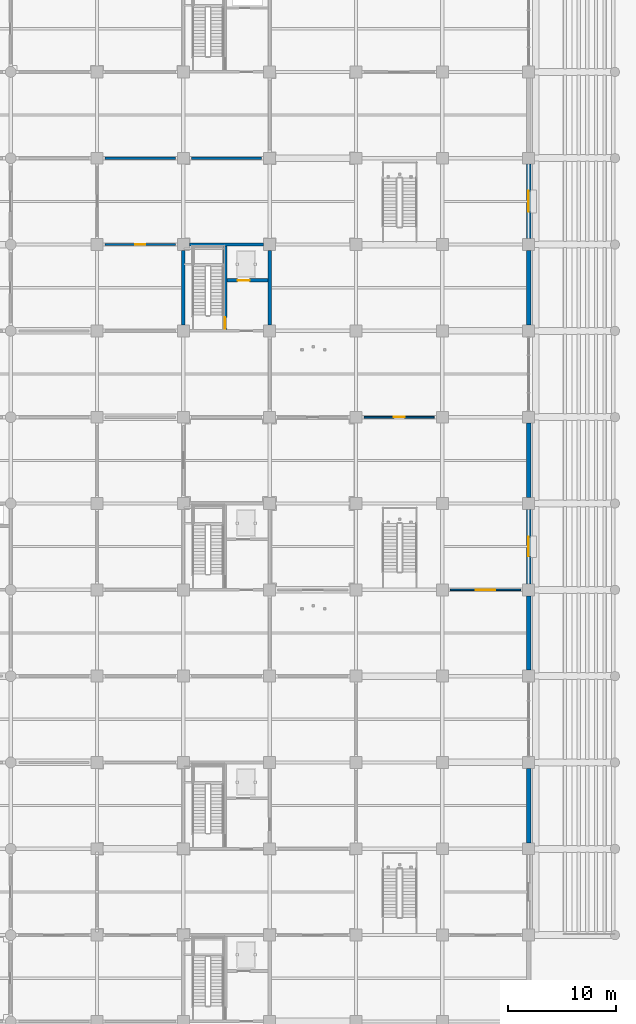
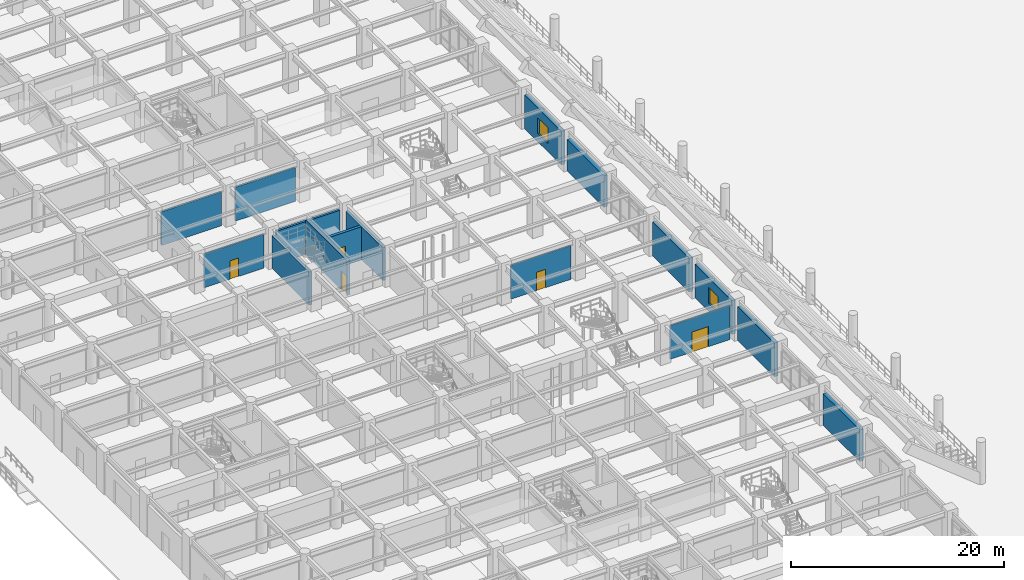
# One storey, part 80 of 125: 16 walls, 5 doors, 2 windows, 7 openings.
"""IFC4 building model written with IfcOpenShell, lengths in metres."""

from ifc_helpers import new_model, si_unit, direction, frame, frame_2d, origin, place, context, subcontext, project, spatial, rectangle, extrude, material, layer, layer_set, type_object, element, fill, save


model = new_model("IFC4")

# Units and contexts
model_context = context("Model", 3, precision=1e-05, world=origin(), true_north=direction((0.0, 1.0)))
body_context = subcontext(model_context, "Body", "Model", "MODEL_VIEW")
ifc_project = project(units=[si_unit("LENGTHUNIT", "METRE"), si_unit("AREAUNIT", "SQUARE_METRE"), si_unit("VOLUMEUNIT", "CUBIC_METRE"), si_unit("PLANEANGLEUNIT", "RADIAN"), si_unit("MASSUNIT", "GRAM", prefix="KILO")], contexts=[model_context])

# Site, building, storey
site_placement = place(None, origin())
site = spatial("IfcSite", under=ifc_project, at=site_placement, CompositionType="ELEMENT")
building_placement = place(site_placement, origin())
building = spatial("IfcBuilding", under=site, at=building_placement, Name="Haebicheon Civic Stadium", CompositionType="ELEMENT")
storey_placement = place(building_placement, origin())
storey = spatial("IfcBuildingStorey", under=building, at=storey_placement, Name="L01", CompositionType="ELEMENT", Elevation=0.0)

# Walls
ifc_material_1 = material(Name="Concrete C40/50", Category="concrete")
ifc_layer_1 = layer(ifc_material_1, 0.239990234375, Name="Concrete C40/50")
ifc_layer_set_1 = layer_set([ifc_layer_1], Name="Concrete C40/50")
wall_type_1 = type_object("IfcWallType", Name="CW-SHR-240", PredefinedType="SHEAR", material=ifc_layer_set_1)
wall_1_placement = place(storey_placement, frame((32.550048828125, 112.0, 0.0), z_axis=(0.0, 0.0, 1.0), x_axis=(1.0, 0.0, 0.0)))
element("IfcWall", 1, at=wall_1_placement, inside=storey, type_object=wall_type_1, material=ifc_layer_set_1, Name="KC-04 L01 north core shear wall", PredefinedType="SHEAR", context=body_context, shape_type="SweptSolid", body=[
    extrude(rectangle(XDim=6.89990234375, YDim=0.239990234375, at=frame_2d((3.449951171875, 0.0))), origin(), (0.0, 0.0, 1.0), 3.77001953125),
])
ifc_material_2 = material(Name="Concrete C40/50", Category="concrete")
ifc_layer_2 = layer(ifc_material_2, 0.300048828125, Name="Concrete C40/50")
ifc_layer_set_2 = layer_set([ifc_layer_2], Name="Concrete C40/50")
wall_type_2 = type_object("IfcWallType", Name="CW-SHR-300", PredefinedType="SHEAR", material=ifc_layer_set_2)
for number, where, z_axis, x_axis, name in (
    (2, (32.0, 104.550048828125, 0.0), (0.0, 0.0, 1.0), (0.0, 1.0, 0.0), "KC-04 L01 west core shear wall"),
    (3, (40.0, 104.550048828125, 0.0), (0.0, 0.0, 1.0), (0.0, 1.0, 0.0), "KC-04 L01 east core shear wall"),
):
    element("IfcWall", number, at=place(storey_placement, frame(where, z_axis=z_axis, x_axis=x_axis)), inside=storey, type_object=wall_type_2, material=ifc_layer_set_2, Name=name, PredefinedType="SHEAR", context=body_context, shape_type="SweptSolid", body=[
        extrude(rectangle(XDim=6.89990234375, YDim=0.300048828125, at=frame_2d((3.449951171875, 0.0))), origin(), (0.0, 0.0, 1.0), 3.77001953125),
    ])

# Wall, opening, door
wall_2_placement = place(storey_placement, frame((35.8798828125, 104.1201171875, 0.0), z_axis=(0.0, 0.0, 1.0), x_axis=(0.0, 1.0, 0.0)))
wall_2 = element("IfcWall", 4, at=wall_2_placement, inside=storey, type_object=wall_type_2, material=ifc_layer_set_2, Name="KC-04 L01 stair-lobby dividing shear wall", PredefinedType="SHEAR", context=body_context, shape_type="SweptSolid", body=[
    extrude(rectangle(XDim=7.759765625, YDim=0.300048828125, at=frame_2d((3.8798828125, 0.0))), origin(), (0.0, 0.0, 1.0), 3.969970703125),
])
opening_1_placement = place(wall_2_placement, frame((0.080078125, 0.0, 0.0)))
opening_1 = element("IfcOpeningElement", 5, at=opening_1_placement, cuts=wall_2, Name="Opening D-L01-KC-04-STR", PredefinedType="OPENING", context=body_context, shape_type="SweptSolid", body=[
    extrude(rectangle(XDim=1.050048828125, YDim=2.14990234375, at=frame_2d((0.52490234375, 1.074951171875))), frame((0.0, 0.159912109375, 0.0), z_axis=(0.0, -1.0, 0.0), x_axis=(1.0, 0.0, 0.0)), (0.0, 0.0, 1.0), 0.320068359375),
])
ifc_material_3 = material(Name="Galvanised painted steel SM355", Category="steel")
door_type_1 = type_object("IfcDoorType", Name="ID-FD-1050", OperationType="NOTDEFINED", PredefinedType="DOOR", material=ifc_material_3)
door_1_placement = place(opening_1_placement, origin())
door_1 = element("IfcDoor", 6, at=door_1_placement, inside=storey, type_object=door_type_1, material=ifc_material_3, Name="L01 ST-04 stairwell escape door", OperationType="SINGLE_SWING_LEFT", OverallHeight=2.14990234375, OverallWidth=1.050048828125, PredefinedType="DOOR", context=body_context, shape_type="SweptSolid", body=[
    extrude(rectangle(XDim=1.050048828125, YDim=2.14990234375, at=frame_2d((0.52490234375, 1.074951171875))), frame((0.0, 0.02490234375, 0.0), z_axis=(0.0, -1.0, 0.0), x_axis=(1.0, 0.0, 0.0)), (0.0, 0.0, 1.0), 0.050048828125),
])
fill(opening_1, door_1)

wall_3_placement = place(storey_placement, frame((36.030029296875, 108.679931640625, 0.0), z_axis=(0.0, 0.0, 1.0), x_axis=(1.0, 0.0, 0.0)))
wall_3 = element("IfcWall", 7, at=wall_3_placement, inside=storey, type_object=wall_type_2, material=ifc_layer_set_2, Name="KC-04 L01 lift shaft front wall", PredefinedType="SHEAR", context=body_context, shape_type="SweptSolid", body=[
    extrude(rectangle(XDim=3.820068359375, YDim=0.300048828125, at=frame_2d((1.91015625, 0.0))), origin(), (0.0, 0.0, 1.0), 3.77001953125),
])
opening_2_placement = place(wall_3_placement, frame((1.0, 0.0, 0.0)))
opening_2 = element("IfcOpeningElement", 8, at=opening_2_placement, cuts=wall_3, Name="Opening LD-04-L01", PredefinedType="OPENING", context=body_context, shape_type="SweptSolid", body=[
    extrude(rectangle(XDim=1.10009765625, YDim=2.14990234375, at=frame_2d((0.550048828125, 1.074951171875))), frame((0.0, 0.159912109375, 0.0), z_axis=(0.0, -1.0, 0.0), x_axis=(1.0, 0.0, 0.0)), (0.0, 0.0, 1.0), 0.320068359375),
])
ifc_material_4 = material(Name="Stainless steel 316", Category="steel")
door_type_2 = type_object("IfcDoorType", Name="ID-LD-1100", OperationType="NOTDEFINED", PredefinedType="DOOR", material=ifc_material_4)
door_2_placement = place(opening_2_placement, origin())
door_2 = element("IfcDoor", 9, at=door_2_placement, inside=storey, type_object=door_type_2, material=ifc_material_4, Name="LF-04 lift landing sliding door L01", OperationType="SLIDING_TO_LEFT", OverallHeight=2.14990234375, OverallWidth=1.10009765625, PredefinedType="DOOR", context=body_context, shape_type="SweptSolid", body=[
    extrude(rectangle(XDim=1.10009765625, YDim=2.14990234375, at=frame_2d((0.550048828125, 1.074951171875))), frame((0.0, 0.02490234375, 0.0), z_axis=(0.0, -1.0, 0.0), x_axis=(1.0, 0.0, 0.0)), (0.0, 0.0, 1.0), 0.050048828125),
])
fill(opening_2, door_2)

# Walls
ifc_material_5 = material(Name="Concrete C40/50", Category="concrete")
ifc_layer_3 = layer(ifc_material_5, 0.39990234375, Name="Concrete C40/50")
ifc_layer_set_3 = layer_set([ifc_layer_3], Name="Concrete C40/50")
wall_type_3 = type_object("IfcWallType", Name="EW-BM-400", PredefinedType="SOLIDWALL", material=ifc_layer_set_3)
wall_4_placement = place(storey_placement, frame((64.0, 56.550048828125, 0.0), z_axis=(0.0, 0.0, 1.0), x_axis=(0.0, 1.0, 0.0)))
element("IfcWall", 10, at=wall_4_placement, inside=storey, type_object=wall_type_3, material=ifc_layer_set_3, Name="L01 board-marked concrete facade wall 08-07-E", PredefinedType="SOLIDWALL", context=body_context, shape_type="SweptSolid", body=[
    extrude(rectangle(XDim=6.89990234375, YDim=0.39990234375, at=frame_2d((3.449951171875, 0.0))), origin(), (0.0, 0.0, 1.0), 3.6201171875),
])
wall_5_placement = place(storey_placement, frame((64.0, 72.550048828125, 0.0), z_axis=(0.0, 0.0, 1.0), x_axis=(0.0, 1.0, 0.0)))
element("IfcWall", 11, at=wall_5_placement, inside=storey, type_object=wall_type_3, material=ifc_layer_set_3, Name="L01 board-marked concrete facade wall 08-09-E", PredefinedType="SOLIDWALL", context=body_context, shape_type="SweptSolid", body=[
    extrude(rectangle(XDim=6.89990234375, YDim=0.39990234375, at=frame_2d((3.449951171875, 0.0))), origin(), (0.0, 0.0, 1.0), 3.8701171875),
])

# Wall, opening, window
wall_6_placement = place(storey_placement, frame((64.0, 80.550048828125, 0.0), z_axis=(0.0, 0.0, 1.0), x_axis=(0.0, 1.0, 0.0)))
wall_6 = element("IfcWall", 12, at=wall_6_placement, inside=storey, type_object=wall_type_3, material=ifc_layer_set_3, Name="L01 board-marked concrete facade wall 08-10-E", PredefinedType="SOLIDWALL", context=body_context, shape_type="SweptSolid", body=[
    extrude(rectangle(XDim=6.89990234375, YDim=0.39990234375, at=frame_2d((3.449951171875, 0.0))), origin(), (0.0, 0.0, 1.0), 3.8701171875),
])
opening_3_placement = place(wall_6_placement, frame((2.550048828125, 0.0, 0.949951171875)))
opening_3 = element("IfcOpeningElement", 13, at=opening_3_placement, cuts=wall_6, Name="Opening WIN-180x180", PredefinedType="OPENING", context=body_context, shape_type="SweptSolid", body=[
    extrude(rectangle(XDim=1.800048828125, YDim=1.800048828125, at=frame_2d((0.89990234375, 0.89990234375))), frame((0.0, 0.2099609375, 0.0), z_axis=(0.0, -1.0, 0.0), x_axis=(1.0, 0.0, 0.0)), (0.0, 0.0, 1.0), 0.419921875),
])
ifc_material_6 = material(Name="Anodised aluminium and laminated glass", Category="aluminium")
window_type_1 = type_object("IfcWindowType", Name="WIN-180x180", PartitioningType="SINGLE_PANEL", PredefinedType="WINDOW", material=ifc_material_6)
window_1_placement = place(opening_3_placement, origin())
window_1 = element("IfcWindow", 14, at=window_1_placement, inside=storey, type_object=window_type_1, material=ifc_material_6, Name="L01 facade window 007", OverallHeight=1.800048828125, OverallWidth=1.800048828125, PartitioningType="SINGLE_PANEL", PredefinedType="WINDOW", context=body_context, shape_type="SweptSolid", body=[
    extrude(rectangle(XDim=1.800048828125, YDim=1.800048828125, at=frame_2d((0.89990234375, 0.89990234375))), frame((0.0, 0.030029296875, 0.0), z_axis=(0.0, -1.0, 0.0), x_axis=(1.0, 0.0, 0.0)), (0.0, 0.0, 1.0), 0.06005859375),
])
fill(opening_3, window_1)

# Walls
wall_7_placement = place(storey_placement, frame((64.0, 88.550048828125, 0.0), z_axis=(0.0, 0.0, 1.0), x_axis=(0.0, 1.0, 0.0)))
element("IfcWall", 15, at=wall_7_placement, inside=storey, type_object=wall_type_3, material=ifc_layer_set_3, Name="L01 board-marked concrete facade wall 08-11-E", PredefinedType="SOLIDWALL", context=body_context, shape_type="SweptSolid", body=[
    extrude(rectangle(XDim=6.89990234375, YDim=0.39990234375, at=frame_2d((3.449951171875, 0.0))), origin(), (0.0, 0.0, 1.0), 3.8701171875),
])
wall_8_placement = place(storey_placement, frame((64.0, 104.550048828125, 0.0), z_axis=(0.0, 0.0, 1.0), x_axis=(0.0, 1.0, 0.0)))
element("IfcWall", 16, at=wall_8_placement, inside=storey, type_object=wall_type_3, material=ifc_layer_set_3, Name="L01 board-marked concrete facade wall 08-13-E", PredefinedType="SOLIDWALL", context=body_context, shape_type="SweptSolid", body=[
    extrude(rectangle(XDim=6.89990234375, YDim=0.39990234375, at=frame_2d((3.449951171875, 0.0))), origin(), (0.0, 0.0, 1.0), 3.6201171875),
])

# Wall, opening, window
wall_9_placement = place(storey_placement, frame((64.0, 112.550048828125, 0.0), z_axis=(0.0, 0.0, 1.0), x_axis=(0.0, 1.0, 0.0)))
wall_9 = element("IfcWall", 17, at=wall_9_placement, inside=storey, type_object=wall_type_3, material=ifc_layer_set_3, Name="L01 board-marked concrete facade wall 08-14-E", PredefinedType="SOLIDWALL", context=body_context, shape_type="SweptSolid", body=[
    extrude(rectangle(XDim=6.89990234375, YDim=0.39990234375, at=frame_2d((3.449951171875, 0.0))), origin(), (0.0, 0.0, 1.0), 3.8701171875),
])
opening_4_placement = place(wall_9_placement, frame((2.47509765625, 0.0, 0.949951171875)))
opening_4 = element("IfcOpeningElement", 18, at=opening_4_placement, cuts=wall_9, Name="Opening WIN-195x180", PredefinedType="OPENING", context=body_context, shape_type="SweptSolid", body=[
    extrude(rectangle(XDim=1.949951171875, YDim=1.800048828125, at=frame_2d((0.97509765625, 0.89990234375))), frame((0.0, 0.2099609375, 0.0), z_axis=(0.0, -1.0, 0.0), x_axis=(1.0, 0.0, 0.0)), (0.0, 0.0, 1.0), 0.419921875),
])
ifc_material_7 = material(Name="Anodised aluminium and laminated glass", Category="aluminium")
window_type_2 = type_object("IfcWindowType", Name="WIN-195x180", PartitioningType="SINGLE_PANEL", PredefinedType="WINDOW", material=ifc_material_7)
window_2_placement = place(opening_4_placement, origin())
window_2 = element("IfcWindow", 19, at=window_2_placement, inside=storey, type_object=window_type_2, material=ifc_material_7, Name="L01 facade window 008", OverallHeight=1.800048828125, OverallWidth=1.949951171875, PartitioningType="SINGLE_PANEL", PredefinedType="WINDOW", context=body_context, shape_type="SweptSolid", body=[
    extrude(rectangle(XDim=1.949951171875, YDim=1.800048828125, at=frame_2d((0.97509765625, 0.89990234375))), frame((0.0, 0.030029296875, 0.0), z_axis=(0.0, -1.0, 0.0), x_axis=(1.0, 0.0, 0.0)), (0.0, 0.0, 1.0), 0.06005859375),
])
fill(opening_4, window_2)

# Walls
ifc_material_8 = material(Name="Concrete C35/45", Category="concrete")
ifc_layer_4 = layer(ifc_material_8, 0.199951171875, Name="Concrete C35/45")
ifc_layer_set_4 = layer_set([ifc_layer_4], Name="Concrete C35/45")
wall_type_4 = type_object("IfcWallType", Name="IW-FIR-200", PredefinedType="PARTITIONING", material=ifc_layer_set_4)
for number, where, z_axis, x_axis, name in (
    (20, (24.75, 120.0, 0.0), (0.0, 0.0, 1.0), (1.0, 0.0, 0.0), "L01 KC-05 protected exit passage EI 120 wall 07"),
    (21, (32.75, 120.0, 0.0), (0.0, 0.0, 1.0), (1.0, 0.0, 0.0), "L01 KC-05 protected exit passage EI 120 wall 10"),
):
    element("IfcWall", number, at=place(storey_placement, frame(where, z_axis=z_axis, x_axis=x_axis)), inside=storey, type_object=wall_type_4, material=ifc_layer_set_4, Name=name, PredefinedType="PARTITIONING", context=body_context, shape_type="SweptSolid", body=[
        extrude(rectangle(XDim=6.5, YDim=0.199951171875, at=frame_2d((3.25, 0.0))), origin(), (0.0, 0.0, 1.0), 3.8701171875),
    ])

# Wall, opening, door
ifc_material_9 = material(Name="Gypsum plasterboard on steel studs", Category="gypsum")
ifc_layer_5 = layer(ifc_material_9, 0.14990234375, Name="Gypsum plasterboard on steel studs")
ifc_layer_set_5 = layer_set([ifc_layer_5], Name="Gypsum plasterboard on steel studs")
wall_type_5 = type_object("IfcWallType", Name="IW-PRT-150", PredefinedType="PARTITIONING", material=ifc_layer_set_5)
wall_10_placement = place(storey_placement, frame((56.75, 80.0, 0.0), z_axis=(0.0, 0.0, 1.0), x_axis=(1.0, 0.0, 0.0)))
wall_10 = element("IfcWall", 22, at=wall_10_placement, inside=storey, type_object=wall_type_5, material=ifc_layer_set_5, Name="L01 Mixed Zone Media Interview Hall partition wall", PredefinedType="PARTITIONING", context=body_context, shape_type="SweptSolid", body=[
    extrude(rectangle(XDim=6.5, YDim=0.14990234375, at=frame_2d((3.25, 0.0))), origin(), (0.0, 0.0, 1.0), 3.8701171875),
])
opening_5_placement = place(wall_10_placement, frame((2.35009765625, 0.0, 0.0)))
opening_5 = element("IfcOpeningElement", 23, at=opening_5_placement, cuts=wall_10, Name="Opening D-L01-125", PredefinedType="OPENING", context=body_context, shape_type="SweptSolid", body=[
    extrude(rectangle(XDim=1.800048828125, YDim=2.300048828125, at=frame_2d((0.89990234375, 1.14990234375))), frame((0.0, 0.0849609375, 0.0), z_axis=(0.0, -1.0, 0.0), x_axis=(1.0, 0.0, 0.0)), (0.0, 0.0, 1.0), 0.169921875),
])
ifc_material_10 = material(Name="Galvanised painted steel SM355", Category="steel")
door_type_3 = type_object("IfcDoorType", Name="ID-DBL-1800", OperationType="NOTDEFINED", PredefinedType="DOOR", material=ifc_material_10)
door_3_placement = place(opening_5_placement, origin())
door_3 = element("IfcDoor", 24, at=door_3_placement, inside=storey, type_object=door_type_3, material=ifc_material_10, Name="L01 Mixed Zone Media Interview Hall entrance door D-L01-125", OperationType="DOUBLE_SWING_LEFT", OverallHeight=2.300048828125, OverallWidth=1.800048828125, PredefinedType="DOOR", context=body_context, shape_type="SweptSolid", body=[
    extrude(rectangle(XDim=1.800048828125, YDim=2.300048828125, at=frame_2d((0.89990234375, 1.14990234375))), frame((0.0, 0.02490234375, 0.0), z_axis=(0.0, -1.0, 0.0), x_axis=(1.0, 0.0, 0.0)), (0.0, 0.0, 1.0), 0.050048828125),
])
fill(opening_5, door_3)

ifc_material_11 = material(Name="Concrete C35/45", Category="concrete")
ifc_layer_6 = layer(ifc_material_11, 0.159912109375, Name="Concrete C35/45")
ifc_layer_set_6 = layer_set([ifc_layer_6], Name="Concrete C35/45")
wall_type_6 = type_object("IfcWallType", Name="IW-PRT-160", PredefinedType="PARTITIONING", material=ifc_layer_set_6)
wall_11_placement = place(storey_placement, frame((24.75, 112.0, 0.0), z_axis=(0.0, 0.0, 1.0), x_axis=(1.0, 0.0, 0.0)))
wall_11 = element("IfcWall", 25, at=wall_11_placement, inside=storey, type_object=wall_type_6, material=ifc_layer_set_6, Name="L01 Pitchside Emergency Medical Clinic partition wall", PredefinedType="PARTITIONING", context=body_context, shape_type="SweptSolid", body=[
    extrude(rectangle(XDim=6.5, YDim=0.159912109375, at=frame_2d((3.25, 0.0))), origin(), (0.0, 0.0, 1.0), 3.8701171875),
])
opening_6_placement = place(wall_11_placement, frame((2.77490234375, 0.0, 0.0)))
opening_6 = element("IfcOpeningElement", 26, at=opening_6_placement, cuts=wall_11, Name="Opening D-L01-115", PredefinedType="OPENING", context=body_context, shape_type="SweptSolid", body=[
    extrude(rectangle(XDim=0.949951171875, YDim=2.10009765625, at=frame_2d((0.47509765625, 1.050048828125))), frame((0.0, 0.08984375, 0.0), z_axis=(0.0, -1.0, 0.0), x_axis=(1.0, 0.0, 0.0)), (0.0, 0.0, 1.0), 0.179931640625),
])
ifc_material_12 = material(Name="Engineered hardwood timber", Category="wood")
door_type_4 = type_object("IfcDoorType", Name="ID-RM-0950", OperationType="NOTDEFINED", PredefinedType="DOOR", material=ifc_material_12)
door_4_placement = place(opening_6_placement, origin())
door_4 = element("IfcDoor", 27, at=door_4_placement, inside=storey, type_object=door_type_4, material=ifc_material_12, Name="L01 Pitchside Emergency Medical Clinic entrance door D-L01-115", OperationType="SINGLE_SWING_RIGHT", OverallHeight=2.10009765625, OverallWidth=0.949951171875, PredefinedType="DOOR", context=body_context, shape_type="SweptSolid", body=[
    extrude(rectangle(XDim=0.949951171875, YDim=2.10009765625, at=frame_2d((0.47509765625, 1.050048828125))), frame((0.0, 0.02490234375, 0.0), z_axis=(0.0, -1.0, 0.0), x_axis=(1.0, 0.0, 0.0)), (0.0, 0.0, 1.0), 0.050048828125),
])
fill(opening_6, door_4)

wall_12_placement = place(storey_placement, frame((48.75, 96.0, 0.0), z_axis=(0.0, 0.0, 1.0), x_axis=(1.0, 0.0, 0.0)))
wall_12 = element("IfcWall", 28, at=wall_12_placement, inside=storey, type_object=wall_type_6, material=ifc_layer_set_6, Name="L01 Pitchside Emergency Medical Clinic partition wall", PredefinedType="PARTITIONING", context=body_context, shape_type="SweptSolid", body=[
    extrude(rectangle(XDim=6.5, YDim=0.159912109375, at=frame_2d((3.25, 0.0))), origin(), (0.0, 0.0, 1.0), 3.8701171875),
])
opening_7_placement = place(wall_12_placement, frame((2.75, 0.0, 0.0)))
opening_7 = element("IfcOpeningElement", 29, at=opening_7_placement, cuts=wall_12, Name="Opening D-L01-126", PredefinedType="OPENING", context=body_context, shape_type="SweptSolid", body=[
    extrude(rectangle(XDim=1.0, YDim=2.10009765625, at=frame_2d((0.5, 1.050048828125))), frame((0.0, 0.08984375, 0.0), z_axis=(0.0, -1.0, 0.0), x_axis=(1.0, 0.0, 0.0)), (0.0, 0.0, 1.0), 0.179931640625),
])
ifc_material_13 = material(Name="Engineered hardwood timber", Category="wood")
door_type_5 = type_object("IfcDoorType", Name="ID-RM-1000", OperationType="NOTDEFINED", PredefinedType="DOOR", material=ifc_material_13)
door_5_placement = place(opening_7_placement, origin())
door_5 = element("IfcDoor", 30, at=door_5_placement, inside=storey, type_object=door_type_5, material=ifc_material_13, Name="L01 Pitchside Emergency Medical Clinic entrance door D-L01-126", OperationType="SINGLE_SWING_RIGHT", OverallHeight=2.10009765625, OverallWidth=1.0, PredefinedType="DOOR", context=body_context, shape_type="SweptSolid", body=[
    extrude(rectangle(XDim=1.0, YDim=2.10009765625, at=frame_2d((0.5, 1.050048828125))), frame((0.0, 0.02490234375, 0.0), z_axis=(0.0, -1.0, 0.0), x_axis=(1.0, 0.0, 0.0)), (0.0, 0.0, 1.0), 0.050048828125),
])
fill(opening_7, door_5)

save(model, "model.ifc")
